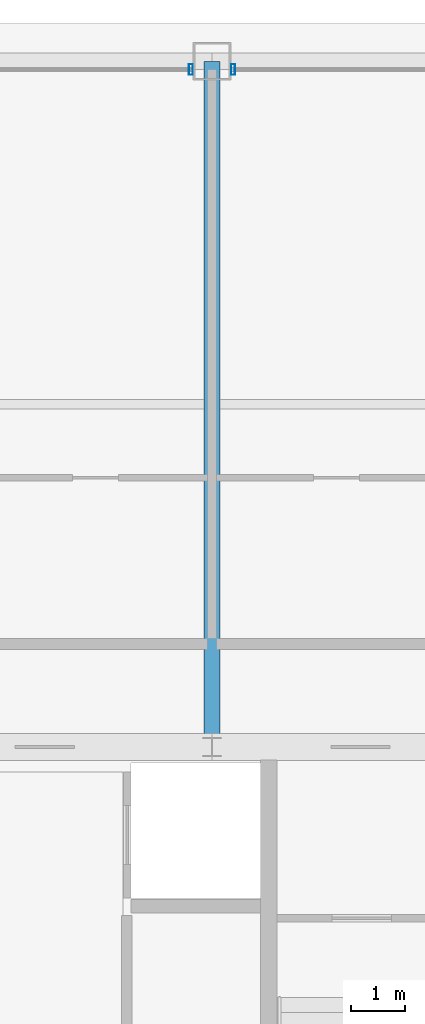
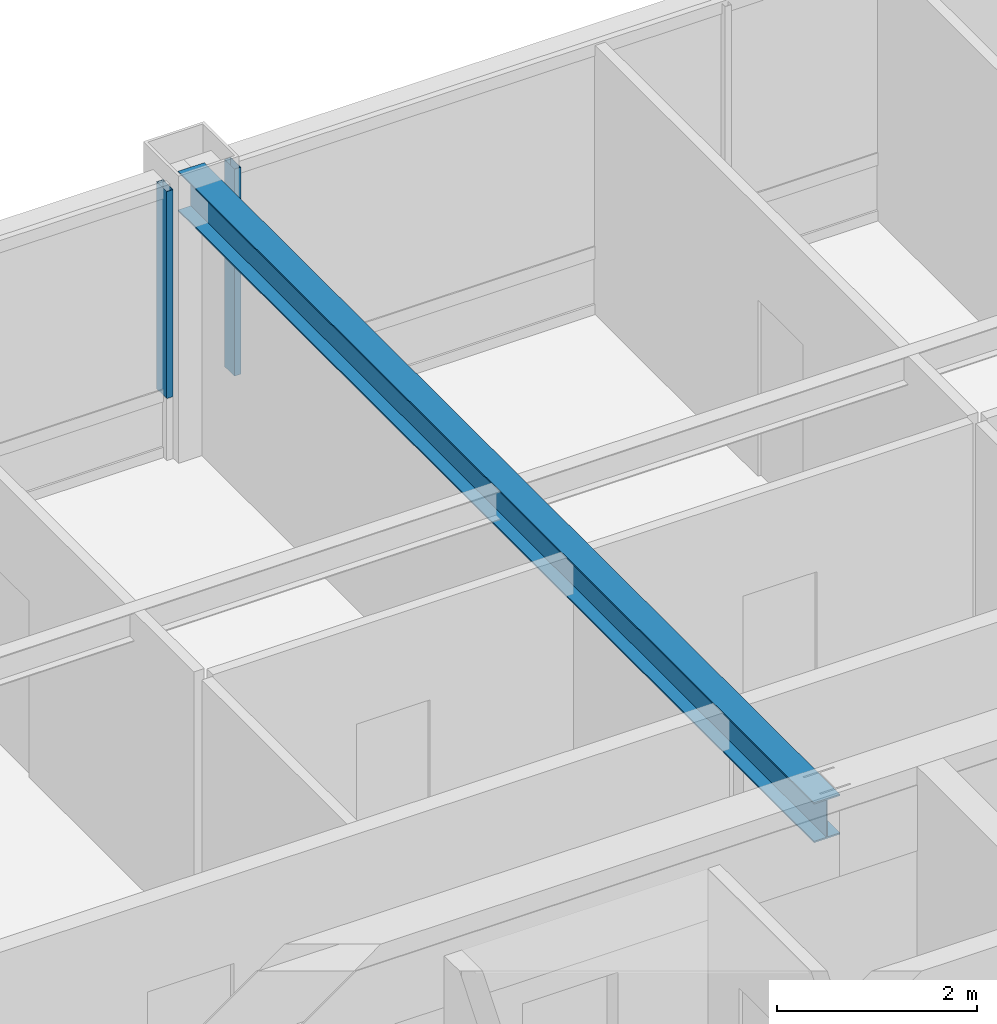
# One storey, part 18 of 35: 2 members, 1 beam, 2 elements without a shape of their own.
"""IFC4 building model written with IfcOpenShell, lengths in metres."""

from ifc_helpers import new_model, si_unit, direction, frame, origin, origin_2d, place, context, subcontext, project, spatial, hollow_rectangle, i_section, extrude, source, transform, mapped, material, layer, layer_set, material_profile, profile_set, type_object, element, aggregate, save


model = new_model("IFC4")

# Units and contexts
model_context = context("Model", 3, precision=1e-05, world=origin(), true_north=direction((0.0, 1.0)))
body_context = subcontext(model_context, "Body", "Model", "MODEL_VIEW")
ifc_project = project(units=[si_unit("LENGTHUNIT", "METRE"), si_unit("AREAUNIT", "SQUARE_METRE"), si_unit("VOLUMEUNIT", "CUBIC_METRE"), si_unit("PLANEANGLEUNIT", "RADIAN"), si_unit("MASSUNIT", "GRAM", prefix="KILO"), si_unit("THERMODYNAMICTEMPERATUREUNIT", "KELVIN"), si_unit("POWERUNIT", "WATT")], contexts=[model_context])

# Site, building, storey
site_placement = place(None, origin())
site = spatial("IfcSite", under=ifc_project, at=site_placement, CompositionType="ELEMENT")
building_placement = place(site_placement, origin())
building = spatial("IfcBuilding", under=site, at=building_placement, Name="Yuzanri Waterfront Tower", CompositionType="ELEMENT")
storey_placement = place(building_placement, frame((0.0, 0.0, 296.10009765625)))
storey = spatial("IfcBuildingStorey", under=building, at=storey_placement, Name="L79", CompositionType="ELEMENT", Elevation=296.10009765625)

# Beam
ifc_material_1 = material(Name="Steel Q355B", Category="steel")
ifc_material_profile_1 = material_profile(ifc_material_1, i_section(OverallWidth=0.300048828125, OverallDepth=0.488037109375, WebThickness=0.010986328125, FlangeThickness=0.01806640625, at=origin_2d()), Name="HM 488x300x11x18")
ifc_profile_set_1 = profile_set([ifc_material_profile_1], Name="Steel Q355B")
beam_type = type_object("IfcBeamType", Name="Primary Floor Girder Q355B HM 488x300", PredefinedType="BEAM", material=ifc_profile_set_1)
shared_shape_1 = source(origin(), body_context, "Body", "SweptSolid", [
    extrude(i_section(OverallWidth=0.300048828125, OverallDepth=0.488037109375, WebThickness=0.010986328125, FlangeThickness=0.01806640625, at=origin_2d()), origin(), (0.0, 0.0, 1.0), 12.699951171875),
])
beam_placement = place(storey_placement, frame((37.0, 32.199951171875, 3.035888671875), z_axis=(0.0, 1.0, 0.0), x_axis=(-1.0, 0.0, 0.0)))
element("IfcBeam", 1, at=beam_placement, inside=storey, type_object=beam_type, Name="L79 North Grid Girder", PredefinedType="BEAM", context=body_context, shape_type="MappedRepresentation", body=[
    mapped(shared_shape_1, transform((0.0, 0.0, 0.0), scale=1.0)),
])

# Curtain wall, member
ifc_material_2 = material(Name="Anodized Architectural Bronze", Category="metal")
ifc_layer = layer(ifc_material_2, 0.159912109375)
ifc_layer_set = layer_set([ifc_layer], Name="Anodized Architectural Bronze")
curtain_wall_type = type_object("IfcCurtainWallType", Name="Anodized Bronze High-Rise Penthouse High-Wind Unitized Curtain Wall 6900", PredefinedType="NOTDEFINED", material=ifc_layer_set)
curtain_wall_1_placement = place(storey_placement, origin())
curtain_wall_1 = element("IfcCurtainWall", 2, at=curtain_wall_1_placement, inside=storey, type_object=curtain_wall_type, Name="L79 Curtain Wall CW-L79-NL", PredefinedType="NOTDEFINED")
ifc_material_3 = material(Name="Anodized Architectural Bronze", Category="metal")
ifc_material_profile_2 = material_profile(ifc_material_3, hollow_rectangle(XDim=0.074951171875, YDim=0.199951171875, WallThickness=0.00390625, at=origin_2d()), Name="CWM 75x200")
ifc_profile_set_2 = profile_set([ifc_material_profile_2], Name="Anodized Architectural Bronze")
member_type = type_object("IfcMemberType", Name="Anodized Bronze Primary Curtain-Wall Mullion 75x200", PredefinedType="MULLION", material=ifc_profile_set_2)
shared_shape_2 = source(origin(), body_context, "Body", "SweptSolid", [
    extrude(hollow_rectangle(XDim=0.074951171875, YDim=0.199951171875, WallThickness=0.00390625, at=origin_2d()), origin(), (0.0, 0.0, 1.0), 2.52392578125),
])
member_1_placement = place(storey_placement, frame((36.610107421875, 44.75, 0.755859375), z_axis=(0.0, 0.0, 1.0), x_axis=(1.0, 0.0, 0.0)))
member_1 = element("IfcMember", 3, at=member_1_placement, type_object=member_type, Name="CW-L79-NL Upper Mullion 02", PredefinedType="MULLION", context=body_context, shape_type="MappedRepresentation", body=[
    mapped(shared_shape_2, transform((0.0, 0.0, 0.0), scale=1.0)),
])
aggregate(curtain_wall_1, [member_1])

curtain_wall_2_placement = place(storey_placement, origin())
curtain_wall_2 = element("IfcCurtainWall", 4, at=curtain_wall_2_placement, inside=storey, type_object=curtain_wall_type, Name="L79 Curtain Wall CW-L79-NR", PredefinedType="NOTDEFINED")
member_2_placement = place(storey_placement, frame((37.389892578125, 44.75, 0.755859375), z_axis=(0.0, 0.0, 1.0), x_axis=(1.0, 0.0, 0.0)))
member_2 = element("IfcMember", 5, at=member_2_placement, type_object=member_type, Name="CW-L79-NR Upper Mullion 00", PredefinedType="MULLION", context=body_context, shape_type="MappedRepresentation", body=[
    mapped(shared_shape_2, transform((0.0, 0.0, 0.0), scale=1.0)),
])
aggregate(curtain_wall_2, [member_2])

save(model, "model.ifc")
